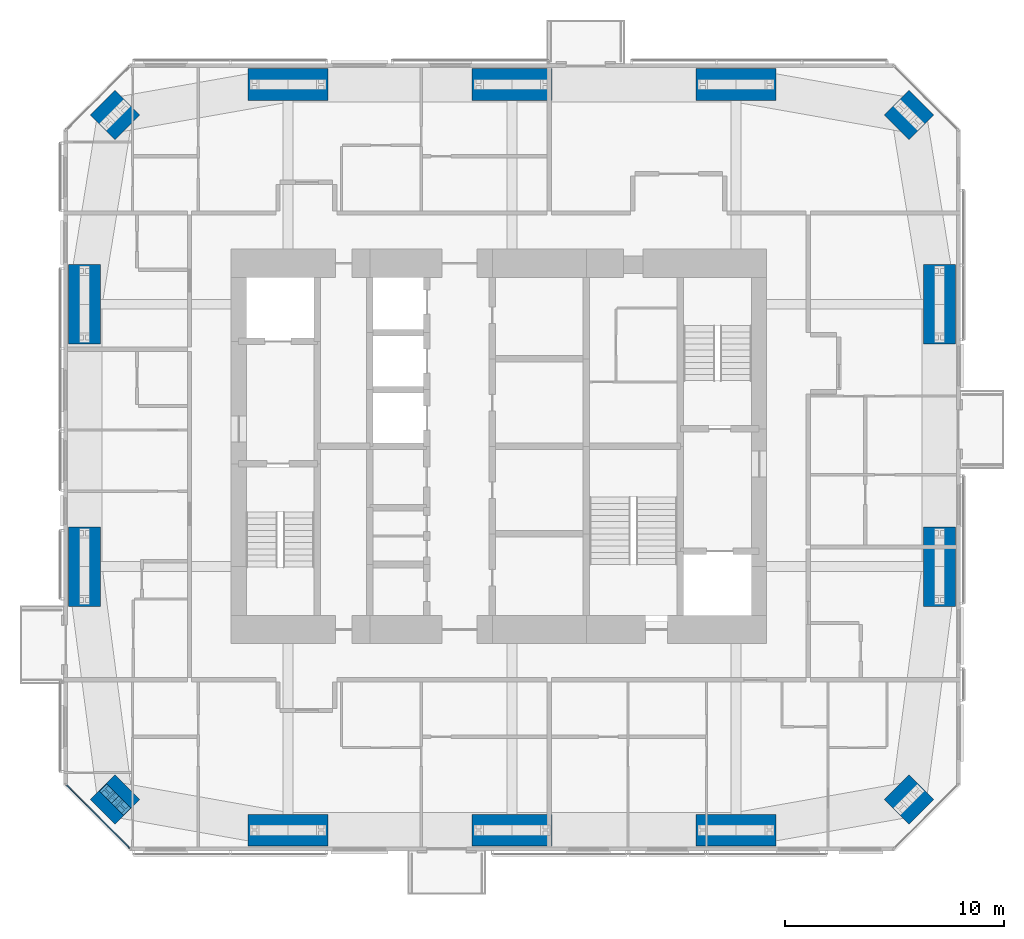
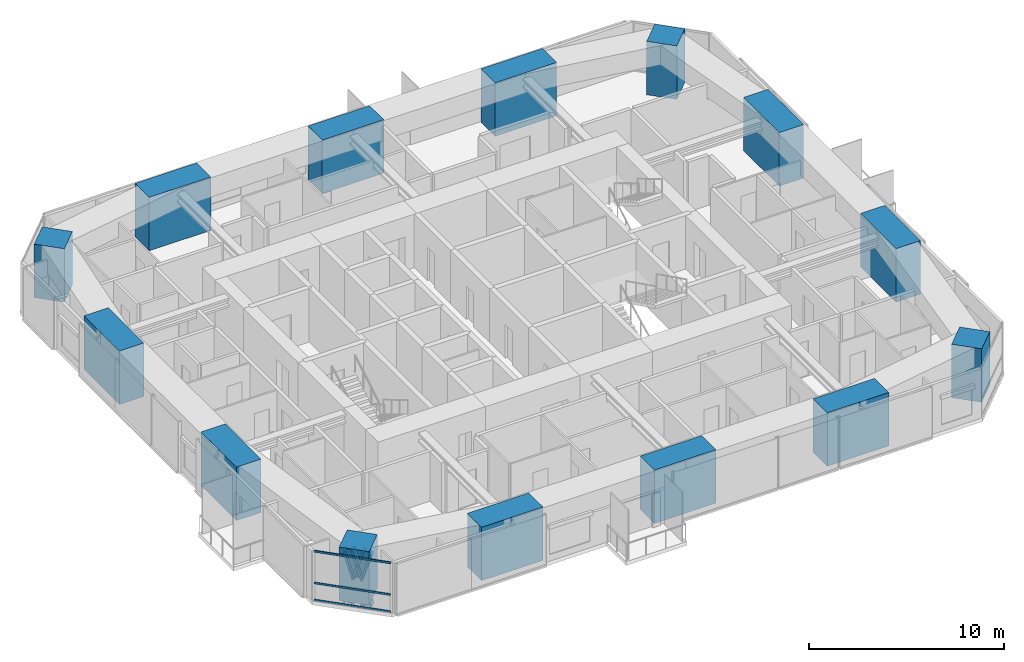
# One storey, part 1 of 22: 14 columns, 7 members, 1 element without a shape of its own.
"""IFC4 building model written with IfcOpenShell, lengths in metres."""

import ifcopenshell
import ifcopenshell.guid

model = None  # the IFC model being written
_history = None  # IfcOwnerHistory: only IFC2X3 demands one
_inside = {}  # id of a spatial element -> (the spatial element, [elements in it])
_under = {}  # id of a project, library or spatial element -> (it, [spatial elements below it])
_declared = {}  # id of a project -> (the project, [libraries it declares])
_typed = {}  # id of a type object -> (the type object, [elements of that type])
_made_of = {}  # id of a material, layer set ... -> (it, [elements and type objects made of it])


def new_model(schema):
    """Start an empty IFC model of exactly this schema.

    Asked for "IFC4X3", IfcOpenShell would pick the latest addendum, in which some entities
    have other attributes; the version numbers below select the first issue.
    IFC2X3 requires an IfcOwnerHistory on every rooted entity: one is made here for all.
    """
    global model, _history
    if schema == "IFC4X3":
        model = ifcopenshell.file(schema_version=(4, 3, 0, 0))
    else:
        model = ifcopenshell.file(schema=schema)
    _inside.clear()
    _under.clear()
    _declared.clear()
    _typed.clear()
    _made_of.clear()
    _history = None
    if model.schema == "IFC2X3":
        org = make("IfcOrganization", Name="unknown")
        user = make(
            "IfcPersonAndOrganization",
            ThePerson=make("IfcPerson", FamilyName="unknown"),
            TheOrganization=org,
        )
        app = make(
            "IfcApplication",
            ApplicationDeveloper=org,
            Version="unknown",
            ApplicationFullName="unknown",
            ApplicationIdentifier="unknown",
        )
        _history = make(
            "IfcOwnerHistory",
            OwningUser=user,
            OwningApplication=app,
            ChangeAction="ADDED",
            CreationDate=0,
        )
    return model


def make(cls, **values):
    """One entity of the class cls with the attributes given. An attribute that is None is left unset."""
    return model.create_entity(
        cls, **{name: value for name, value in values.items() if value is not None}
    )


def rooted(cls, **values):
    """An entity with a GlobalId (a new one), such as an element, a storey or a relation."""
    return make(cls, GlobalId=ifcopenshell.guid.new(), OwnerHistory=_history, **values)


def si_unit(unit_type, name, prefix=None):
    """IfcSIUnit, for example si_unit("LENGTHUNIT", "METRE", prefix="MILLI")."""
    return make("IfcSIUnit", UnitType=unit_type, Prefix=prefix, Name=name)


def assignment(units):
    """IfcUnitAssignment: the units of a project."""
    return None if units is None else make("IfcUnitAssignment", Units=units)


def point(xyz):
    """IfcCartesianPoint."""
    return None if xyz is None else make("IfcCartesianPoint", Coordinates=xyz)


def direction(xyz):
    """IfcDirection."""
    return None if xyz is None else make("IfcDirection", DirectionRatios=xyz)


def frame(location, z_axis=None, x_axis=None):
    """IfcAxis2Placement3D, a coordinate frame: its origin and axes. An axis left out is left unset."""
    return make(
        "IfcAxis2Placement3D",
        Location=point(location),
        Axis=direction(z_axis),
        RefDirection=direction(x_axis),
    )


def frame_2d(location, x_axis=None):
    """IfcAxis2Placement2D, a coordinate frame in the plane: its origin and x axis."""
    return make(
        "IfcAxis2Placement2D", Location=point(location), RefDirection=direction(x_axis)
    )


def origin():
    """The frame at (0, 0, 0) with its axes left unset."""
    return frame((0.0, 0.0, 0.0))


def origin_2d():
    """The frame at (0, 0) in the plane with its x axis left unset."""
    return frame_2d((0.0, 0.0))


def place(relative_to, where):
    """IfcLocalPlacement: puts the frame where relative to a parent placement (None: the world)."""
    return make(
        "IfcLocalPlacement", PlacementRelTo=relative_to, RelativePlacement=where
    )


def context(
    kind, dimensions, precision=None, world=None, true_north=None, identifier=None
):
    """IfcGeometricRepresentationContext, for example the 3D "Model" context."""
    return make(
        "IfcGeometricRepresentationContext",
        ContextIdentifier=identifier,
        ContextType=kind,
        CoordinateSpaceDimension=dimensions,
        Precision=precision,
        WorldCoordinateSystem=world,
        TrueNorth=true_north,
    )


def subcontext(parent, identifier, kind, view, scale=None):
    """IfcGeometricRepresentationSubContext, for example "Body" below "Model"."""
    return make(
        "IfcGeometricRepresentationSubContext",
        ContextIdentifier=identifier,
        ContextType=kind,
        ParentContext=parent,
        TargetScale=scale,
        TargetView=view,
    )


def project(units=None, contexts=None):
    """IfcProject with its units and contexts."""
    return rooted(
        "IfcProject",
        Name="project",
        RepresentationContexts=contexts,
        UnitsInContext=assignment(units),
    )


def spatial(cls, under=None, at=None, **own):
    """A site, building, storey or space (cls), placed at a placement, below another one or the project."""
    s = rooted(cls, ObjectPlacement=at, **own)
    if under is not None:
        _under.setdefault(under.id(), (under, []))[1].append(s)
    return s


def profile(cls, at=None, kind="AREA", **sizes):
    """A parametric profile (cls). Its sizes go by their IFC names, for example OverallWidth=200.0."""
    return make(cls, ProfileType=kind, Position=at, **sizes)


def rectangle(**sizes):
    """IfcRectangleProfileDef."""
    return profile("IfcRectangleProfileDef", **sizes)


def i_section(**sizes):
    """IfcIShapeProfileDef."""
    return profile("IfcIShapeProfileDef", **sizes)


def extrude(swept, where, along, depth):
    """IfcExtrudedAreaSolid: the profile swept, set in the frame where, extruded along a direction by depth."""
    return make(
        "IfcExtrudedAreaSolid",
        SweptArea=swept,
        Position=where,
        ExtrudedDirection=direction(along),
        Depth=depth,
    )


def shape(context_of_items, identifier, shape_type, items):
    """IfcShapeRepresentation: the items that make up one representation, for example the "Body"."""
    return make(
        "IfcShapeRepresentation",
        ContextOfItems=context_of_items,
        RepresentationIdentifier=identifier,
        RepresentationType=shape_type,
        Items=items,
    )


def material(Name=None, Category=None):
    """IfcMaterial."""
    return make("IfcMaterial", Name=Name, Category=Category)


def material_profile(
    of_material, cross_section, Name=None, Category=None, Priority=None
):
    """IfcMaterialProfile: a cross section and its material."""
    return make(
        "IfcMaterialProfile",
        Name=Name,
        Material=of_material,
        Profile=cross_section,
        Priority=Priority,
        Category=Category,
    )


def profile_set(profiles, Name=None, composite=None):
    """IfcMaterialProfileSet."""
    return make(
        "IfcMaterialProfileSet",
        Name=Name,
        MaterialProfiles=profiles,
        CompositeProfile=composite,
    )


def made_of(thing, what):
    """Note that an element or type object is made of a material, layer set ...; save() writes the relation."""
    if what is not None:
        _made_of.setdefault(what.id(), (what, []))[1].append(thing)
    return thing


def type_object(cls, material=None, **own):
    """A type object (cls), such as IfcWallType, which elements share."""
    return made_of(rooted(cls, **own), material)


def element(
    cls,
    number,
    at=None,
    inside=None,
    cuts=None,
    type_object=None,
    material=None,
    context=None,
    identifier="Body",
    shape_type=None,
    held_by="IfcProductDefinitionShape",
    body=None,
    shapes=None,
    **own,
):
    """One element of the class cls, such as IfcWall. Its Tag is "e" and its number.

    at: its placement. inside: the storey or other place that contains it. cuts: it is an
    opening in that element (IfcRelVoidsElement). A single representation is given by context,
    identifier, shape_type and body (its items); several are given by shapes. held_by: the class
    of the entity that holds the representations. save() writes the other relations.
    """
    e = rooted(cls, Tag="e%d" % number, ObjectPlacement=at, **own)
    if body is not None:
        shapes = [shape(context, identifier, shape_type, body)]
    if shapes is not None:
        e.Representation = make(held_by, Representations=shapes)
    if inside is not None:
        _inside.setdefault(inside.id(), (inside, []))[1].append(e)
    if cuts is not None:
        rooted(
            "IfcRelVoidsElement", RelatingBuildingElement=cuts, RelatedOpeningElement=e
        )
    if type_object is not None:
        _typed.setdefault(type_object.id(), (type_object, []))[1].append(e)
    return made_of(e, material)


def aggregate(whole, parts):
    """IfcRelAggregates: a whole, such as a stair, and the parts it consists of."""
    return rooted("IfcRelAggregates", RelatingObject=whole, RelatedObjects=parts)


def save(model, path):
    """Write the relations noted so far, then the file.

    IfcRelAggregates (storeys below a building ...), IfcRelContainedInSpatialStructure (elements
    in a storey), IfcRelDefinesByType, IfcRelAssociatesMaterial and IfcRelDeclares: one each for
    every whole, place, type object, material and project.
    """
    for whole, parts in _under.values():
        aggregate(whole, parts)
    for where, things in _inside.values():
        rooted(
            "IfcRelContainedInSpatialStructure",
            RelatedElements=things,
            RelatingStructure=where,
        )
    for kind, things in _typed.values():
        rooted("IfcRelDefinesByType", RelatedObjects=things, RelatingType=kind)
    for what, things in _made_of.values():
        rooted("IfcRelAssociatesMaterial", RelatedObjects=things, RelatingMaterial=what)
    for by, libraries in _declared.values():
        rooted("IfcRelDeclares", RelatingContext=by, RelatedDefinitions=libraries)
    model.write(path)


model = new_model("IFC4")

# Units and contexts
model_context = context("Model", 3, precision=1e-05, world=origin(), true_north=direction((0.0, 1.0)))
body_context = subcontext(model_context, "Body", "Model", "MODEL_VIEW")
ifc_project = project(units=[si_unit("LENGTHUNIT", "METRE"), si_unit("AREAUNIT", "SQUARE_METRE"), si_unit("VOLUMEUNIT", "CUBIC_METRE"), si_unit("PLANEANGLEUNIT", "RADIAN"), si_unit("MASSUNIT", "GRAM", prefix="KILO")], contexts=[model_context])

# Site, building, storey
site_placement = place(None, origin())
site = spatial("IfcSite", under=ifc_project, at=site_placement, CompositionType="ELEMENT")
building_placement = place(site_placement, origin())
building = spatial("IfcBuilding", under=site, at=building_placement, Name="Jalousie Tower", CompositionType="ELEMENT")
storey_placement = place(building_placement, frame((0.0, 0.0, 201.25)))
storey = spatial("IfcBuildingStorey", under=building, at=storey_placement, Name="L55", CompositionType="ELEMENT", Elevation=201.25)

# Columns
ifc_material_1 = material(Name="Concrete f'c 120 MPa", Category="concrete")
ifc_material_profile_1 = material_profile(ifc_material_1, rectangle(XDim=1.449951171875, YDim=3.64990234375, at=origin_2d()), Name="RC 1450x3650")
ifc_profile_set_1 = profile_set([ifc_material_profile_1], Name="Concrete f'c 120 MPa")
column_type_1 = type_object("IfcColumnType", Name="RC COLUMN 1450x3650", PredefinedType="COLUMN", material=ifc_profile_set_1)
for number, where, z_axis, x_axis, name in (
    (1, (22.25, 0.949951171875, 0.0), (0.0, 0.0, 1.0), (0.0, 1.0, 0.0), "Column 02 L55"),
    (2, (32.5, 0.949951171875, 0.0), (0.0, 0.0, 1.0), (0.0, 1.0, 0.0), "Column 03 L55"),
    (3, (42.75, 0.949951171875, 0.0), (0.0, 0.0, 1.0), (0.0, 1.0, 0.0), "Column 04 L55"),
    (4, (52.050048828125, 13.0, 0.0), (0.0, 0.0, 1.0), (1.0, 0.0, 0.0), "Column 06 L55"),
    (5, (52.050048828125, 25.0, 0.0), (0.0, 0.0, 1.0), (1.0, 0.0, 0.0), "Column 07 L55"),
    (6, (42.75, 35.050048828125, 0.0), (0.0, 0.0, 1.0), (0.0, 1.0, 0.0), "Column 09 L55"),
    (7, (32.5, 35.050048828125, 0.0), (0.0, 0.0, 1.0), (0.0, 1.0, 0.0), "Column 10 L55"),
    (8, (22.25, 35.050048828125, 0.0), (0.0, 0.0, 1.0), (0.0, 1.0, 0.0), "Column 11 L55"),
    (9, (12.949951171875, 25.0, 0.0), (0.0, 0.0, 1.0), (1.0, 0.0, 0.0), "Column 13 L55"),
    (10, (12.949951171875, 13.0, 0.0), (0.0, 0.0, 1.0), (1.0, 0.0, 0.0), "Column 14 L55"),
):
    element("IfcColumn", number, at=place(storey_placement, frame(where, z_axis=z_axis, x_axis=x_axis)), inside=storey, type_object=column_type_1, Name=name, PredefinedType="COLUMN", context=body_context, shape_type="SweptSolid", body=[
        extrude(rectangle(XDim=1.449951171875, YDim=3.64990234375, at=origin_2d()), origin(), (0.0, 0.0, 1.0), 3.35009765625),
    ])
ifc_material_2 = material(Name="Concrete f'c 120 MPa", Category="concrete")
ifc_material_profile_2 = material_profile(ifc_material_2, rectangle(XDim=1.60009765625, YDim=1.60009765625, at=origin_2d()), Name="RC 1600x1600")
ifc_profile_set_2 = profile_set([ifc_material_profile_2], Name="Concrete f'c 120 MPa")
column_type_2 = type_object("IfcColumnType", Name="RC COLUMN 1600x1600", PredefinedType="COLUMN", material=ifc_profile_set_2)
for number, where, z_axis, x_axis, name in (
    (11, (14.348388671875, 2.348388671875, 0.0), (0.0, 0.0, 1.0), (0.707106781187, 0.707106781187, 0.0), "Column 01 L55"),
    (12, (50.651611328125, 2.348388671875, 0.0), (0.0, 0.0, 1.0), (0.707106781187, 0.707106781187, 0.0), "Column 05 L55"),
    (13, (50.651611328125, 33.651611328125, 0.0), (0.0, 0.0, 1.0), (0.707106781187, 0.707106781187, 0.0), "Column 08 L55"),
    (14, (14.348388671875, 33.651611328125, 0.0), (0.0, 0.0, 1.0), (0.707106781187, 0.707106781187, 0.0), "Column 12 L55"),
):
    element("IfcColumn", number, at=place(storey_placement, frame(where, z_axis=z_axis, x_axis=x_axis)), inside=storey, type_object=column_type_2, Name=name, PredefinedType="COLUMN", context=body_context, shape_type="SweptSolid", body=[
        extrude(rectangle(XDim=1.60009765625, YDim=1.60009765625, at=origin_2d()), origin(), (0.0, 0.0, 1.0), 3.35009765625),
    ])

# Curtain wall, members
ifc_material_3 = material(Name="Aluminium curtain wall", Category="aluminium")
curtain_wall_type = type_object("IfcCurtainWallType", Name="CORNER WINDOW WALL", PredefinedType="USERDEFINED", material=ifc_material_3)
curtain_wall_placement = place(storey_placement, origin())
curtain_wall = element("IfcCurtainWall", 15, at=curtain_wall_placement, inside=storey, type_object=curtain_wall_type, Name="Corner Window Wall L55 8", ObjectType="CORNER WINDOW WALL", PredefinedType="USERDEFINED")
ifc_material_4 = material(Name="Aluminium transom", Category="aluminium")
ifc_material_profile_3 = material_profile(ifc_material_4, rectangle(XDim=0.06005859375, YDim=0.1201171875, at=origin_2d()), Name="TRANSOM 60x120")
ifc_profile_set_3 = profile_set([ifc_material_profile_3], Name="Aluminium transom")
member_type_1 = type_object("IfcMemberType", Name="CORNER WINDOW WALL TRANSOM", PredefinedType="USERDEFINED", material=ifc_profile_set_3)
member_1_placement = place(storey_placement, frame((12.1298828125, 3.0087890625, 0.030029296875), z_axis=(0.707106781187, -0.707106781187, 0.0), x_axis=(0.707106781187, 0.707106781187, 0.0)))
member_1 = element("IfcMember", 16, at=member_1_placement, type_object=member_type_1, Name="CW-C transom 1.1", ObjectType="TRANSOM", PredefinedType="USERDEFINED", context=body_context, shape_type="SweptSolid", body=[
    extrude(rectangle(XDim=0.06005859375, YDim=0.1201171875, at=origin_2d()), origin(), (0.0, 0.0, 1.0), 4.0712890625),
])
member_2_placement = place(storey_placement, frame((12.1298828125, 3.0087890625, 1.10009765625), z_axis=(0.707106781187, -0.707106781187, 0.0), x_axis=(0.707106781187, 0.707106781187, 0.0)))
member_2 = element("IfcMember", 17, at=member_2_placement, type_object=member_type_1, Name="CW-C transom 1.2", ObjectType="TRANSOM", PredefinedType="USERDEFINED", context=body_context, shape_type="SweptSolid", body=[
    extrude(rectangle(XDim=0.06005859375, YDim=0.1201171875, at=origin_2d()), origin(), (0.0, 0.0, 1.0), 4.0712890625),
])
member_3_placement = place(storey_placement, frame((12.1298828125, 3.0087890625, 3.080078125), z_axis=(0.707106781187, -0.707106781187, 0.0), x_axis=(0.707106781187, 0.707106781187, 0.0)))
member_3 = element("IfcMember", 18, at=member_3_placement, type_object=member_type_1, Name="CW-C transom 1.3", ObjectType="TRANSOM", PredefinedType="USERDEFINED", context=body_context, shape_type="SweptSolid", body=[
    extrude(rectangle(XDim=0.06005859375, YDim=0.1201171875, at=origin_2d()), origin(), (0.0, 0.0, 1.0), 4.0712890625),
])
aggregate(curtain_wall, [member_1, member_2, member_3])

# Members
ifc_material_5 = material(Name="Steel ASTM A992 Grade 50", Category="steel")
ifc_material_profile_4 = material_profile(ifc_material_5, i_section(OverallWidth=0.472412109375, OverallDepth=0.5791015625, WebThickness=0.094970703125, FlangeThickness=0.1298828125, at=origin_2d()), Name="W14X808")
ifc_profile_set_4 = profile_set([ifc_material_profile_4], Name="Steel ASTM A992 Grade 50")
member_type_2 = type_object("IfcMemberType", Name="PERIMETER BRACE W14X808", PredefinedType="BRACE", material=ifc_profile_set_4)
for number, where, z_axis, x_axis, name in (
    (19, (13.9951171875, 2.7021484375, -0.60009765625), (0.202092742837, -0.202372069365, 0.958229653493), (0.707594945859, 0.706618279267, 0.0), "Perimeter brace 01 L55 part 1"),
    (20, (14.348388671875, 2.348388671875, 1.074951171875), (0.202372069365, -0.202092742837, 0.958229653493), (0.706618279267, 0.707594945859, 0.0), "Perimeter brace 01 L55 part 2"),
    (21, (14.7021484375, 1.9951171875, -0.60009765625), (-0.202372069365, 0.202092742837, 0.958229653493), (-0.706618279267, -0.707594945859, 0.0), "Perimeter brace 01 L55 part 3"),
    (22, (14.348388671875, 2.348388671875, 1.074951171875), (-0.202092742837, 0.202372069365, 0.958229653493), (-0.707594945859, -0.706618279267, 0.0), "Perimeter brace 01 L55 part 4"),
):
    element("IfcMember", number, at=place(storey_placement, frame(where, z_axis=z_axis, x_axis=x_axis)), inside=storey, type_object=member_type_2, Name=name, PredefinedType="BRACE", context=body_context, shape_type="SweptSolid", body=[
        extrude(i_section(OverallWidth=0.472412109375, OverallDepth=0.5791015625, WebThickness=0.094970703125, FlangeThickness=0.1298828125, at=origin_2d()), origin(), (0.0, 0.0, 1.0), 1.748046875),
    ])

save(model, "model.ifc")
